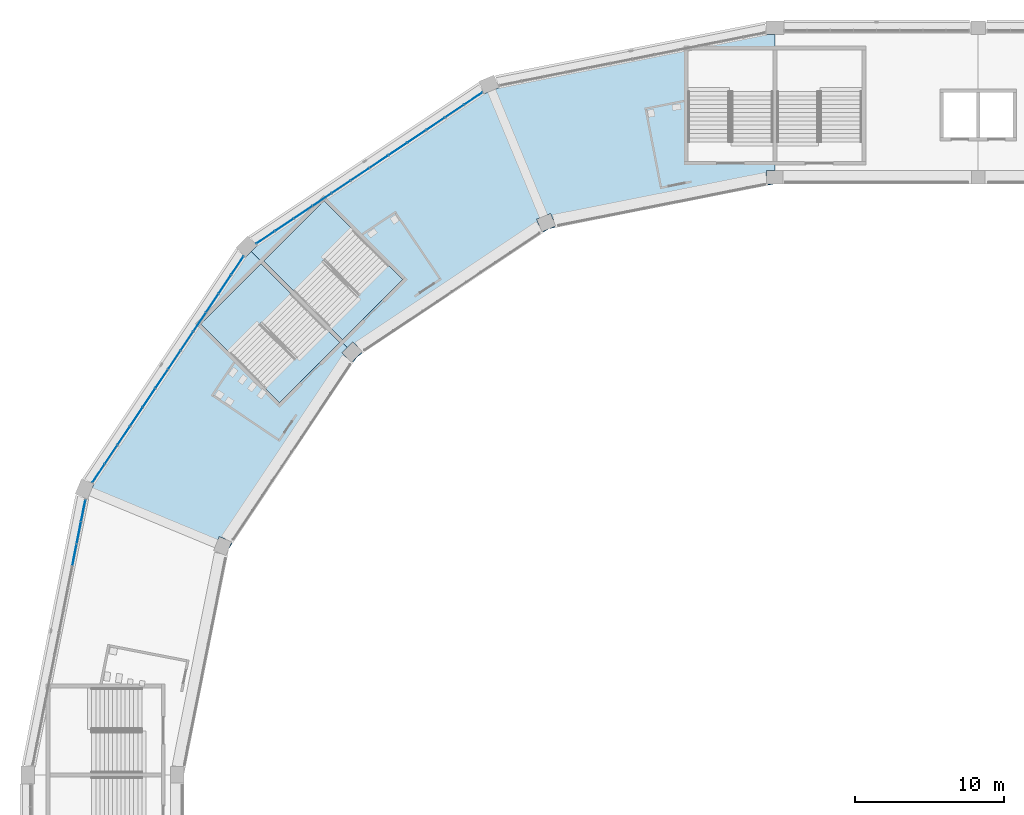
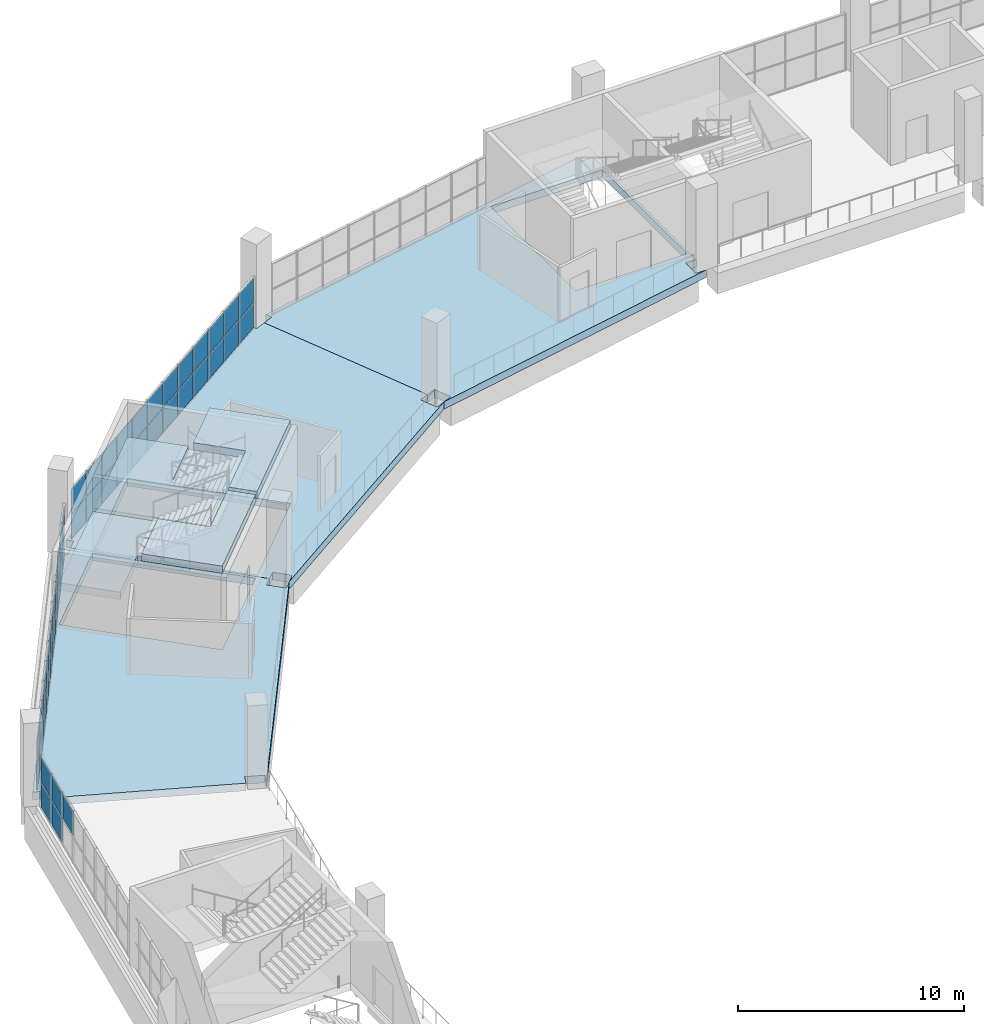
# One storey, part 54 of 177: 53 plates, 7 slabs, 5 elements without a shape of their own.
"""IFC4 building model written with IfcOpenShell, lengths in metres."""

import ifcopenshell
import ifcopenshell.guid

model = None  # the IFC model being written
_history = None  # IfcOwnerHistory: only IFC2X3 demands one
_inside = {}  # id of a spatial element -> (the spatial element, [elements in it])
_under = {}  # id of a project, library or spatial element -> (it, [spatial elements below it])
_declared = {}  # id of a project -> (the project, [libraries it declares])
_typed = {}  # id of a type object -> (the type object, [elements of that type])
_made_of = {}  # id of a material, layer set ... -> (it, [elements and type objects made of it])


def new_model(schema):
    """Start an empty IFC model of exactly this schema.

    Asked for "IFC4X3", IfcOpenShell would pick the latest addendum, in which some entities
    have other attributes; the version numbers below select the first issue.
    IFC2X3 requires an IfcOwnerHistory on every rooted entity: one is made here for all.
    """
    global model, _history
    if schema == "IFC4X3":
        model = ifcopenshell.file(schema_version=(4, 3, 0, 0))
    else:
        model = ifcopenshell.file(schema=schema)
    _inside.clear()
    _under.clear()
    _declared.clear()
    _typed.clear()
    _made_of.clear()
    _history = None
    if model.schema == "IFC2X3":
        org = make("IfcOrganization", Name="unknown")
        user = make(
            "IfcPersonAndOrganization",
            ThePerson=make("IfcPerson", FamilyName="unknown"),
            TheOrganization=org,
        )
        app = make(
            "IfcApplication",
            ApplicationDeveloper=org,
            Version="unknown",
            ApplicationFullName="unknown",
            ApplicationIdentifier="unknown",
        )
        _history = make(
            "IfcOwnerHistory",
            OwningUser=user,
            OwningApplication=app,
            ChangeAction="ADDED",
            CreationDate=0,
        )
    return model


def make(cls, **values):
    """One entity of the class cls with the attributes given. An attribute that is None is left unset."""
    return model.create_entity(
        cls, **{name: value for name, value in values.items() if value is not None}
    )


def rooted(cls, **values):
    """An entity with a GlobalId (a new one), such as an element, a storey or a relation."""
    return make(cls, GlobalId=ifcopenshell.guid.new(), OwnerHistory=_history, **values)


def si_unit(unit_type, name, prefix=None):
    """IfcSIUnit, for example si_unit("LENGTHUNIT", "METRE", prefix="MILLI")."""
    return make("IfcSIUnit", UnitType=unit_type, Prefix=prefix, Name=name)


def assignment(units):
    """IfcUnitAssignment: the units of a project."""
    return None if units is None else make("IfcUnitAssignment", Units=units)


def point(xyz):
    """IfcCartesianPoint."""
    return None if xyz is None else make("IfcCartesianPoint", Coordinates=xyz)


def direction(xyz):
    """IfcDirection."""
    return None if xyz is None else make("IfcDirection", DirectionRatios=xyz)


def frame(location, z_axis=None, x_axis=None):
    """IfcAxis2Placement3D, a coordinate frame: its origin and axes. An axis left out is left unset."""
    return make(
        "IfcAxis2Placement3D",
        Location=point(location),
        Axis=direction(z_axis),
        RefDirection=direction(x_axis),
    )


def frame_2d(location, x_axis=None):
    """IfcAxis2Placement2D, a coordinate frame in the plane: its origin and x axis."""
    return make(
        "IfcAxis2Placement2D", Location=point(location), RefDirection=direction(x_axis)
    )


def origin():
    """The frame at (0, 0, 0) with its axes left unset."""
    return frame((0.0, 0.0, 0.0))


def origin_2d():
    """The frame at (0, 0) in the plane with its x axis left unset."""
    return frame_2d((0.0, 0.0))


def place(relative_to, where):
    """IfcLocalPlacement: puts the frame where relative to a parent placement (None: the world)."""
    return make(
        "IfcLocalPlacement", PlacementRelTo=relative_to, RelativePlacement=where
    )


def context(
    kind, dimensions, precision=None, world=None, true_north=None, identifier=None
):
    """IfcGeometricRepresentationContext, for example the 3D "Model" context."""
    return make(
        "IfcGeometricRepresentationContext",
        ContextIdentifier=identifier,
        ContextType=kind,
        CoordinateSpaceDimension=dimensions,
        Precision=precision,
        WorldCoordinateSystem=world,
        TrueNorth=true_north,
    )


def subcontext(parent, identifier, kind, view, scale=None):
    """IfcGeometricRepresentationSubContext, for example "Body" below "Model"."""
    return make(
        "IfcGeometricRepresentationSubContext",
        ContextIdentifier=identifier,
        ContextType=kind,
        ParentContext=parent,
        TargetScale=scale,
        TargetView=view,
    )


def project(units=None, contexts=None):
    """IfcProject with its units and contexts."""
    return rooted(
        "IfcProject",
        Name="project",
        RepresentationContexts=contexts,
        UnitsInContext=assignment(units),
    )


def spatial(cls, under=None, at=None, **own):
    """A site, building, storey or space (cls), placed at a placement, below another one or the project."""
    s = rooted(cls, ObjectPlacement=at, **own)
    if under is not None:
        _under.setdefault(under.id(), (under, []))[1].append(s)
    return s


def polyline(points):
    """IfcPolyline through the points."""
    return make("IfcPolyline", Points=[point(p) for p in points])


def profile(cls, at=None, kind="AREA", **sizes):
    """A parametric profile (cls). Its sizes go by their IFC names, for example OverallWidth=200.0."""
    return make(cls, ProfileType=kind, Position=at, **sizes)


def rectangle(**sizes):
    """IfcRectangleProfileDef."""
    return profile("IfcRectangleProfileDef", **sizes)


def outline(outer, holes=None, kind="AREA"):
    """IfcArbitraryClosedProfileDef: a profile drawn as a closed curve; with holes, ...WithVoids."""
    if holes is None:
        return make("IfcArbitraryClosedProfileDef", ProfileType=kind, OuterCurve=outer)
    return make(
        "IfcArbitraryProfileDefWithVoids",
        ProfileType=kind,
        OuterCurve=outer,
        InnerCurves=holes,
    )


def extrude(swept, where, along, depth):
    """IfcExtrudedAreaSolid: the profile swept, set in the frame where, extruded along a direction by depth."""
    return make(
        "IfcExtrudedAreaSolid",
        SweptArea=swept,
        Position=where,
        ExtrudedDirection=direction(along),
        Depth=depth,
    )


def shape(context_of_items, identifier, shape_type, items):
    """IfcShapeRepresentation: the items that make up one representation, for example the "Body"."""
    return make(
        "IfcShapeRepresentation",
        ContextOfItems=context_of_items,
        RepresentationIdentifier=identifier,
        RepresentationType=shape_type,
        Items=items,
    )


def material(Name=None, Category=None):
    """IfcMaterial."""
    return make("IfcMaterial", Name=Name, Category=Category)


def layer(
    of_material, thickness, ventilated=None, Name=None, Category=None, Priority=None
):
    """IfcMaterialLayer: one layer of a wall or slab, of a material (None: an air gap)."""
    return make(
        "IfcMaterialLayer",
        Material=of_material,
        LayerThickness=thickness,
        IsVentilated=ventilated,
        Name=Name,
        Category=Category,
        Priority=Priority,
    )


def layer_set(layers, Name=None):
    """IfcMaterialLayerSet."""
    return make("IfcMaterialLayerSet", MaterialLayers=layers, LayerSetName=Name)


def made_of(thing, what):
    """Note that an element or type object is made of a material, layer set ...; save() writes the relation."""
    if what is not None:
        _made_of.setdefault(what.id(), (what, []))[1].append(thing)
    return thing


def type_object(cls, material=None, **own):
    """A type object (cls), such as IfcWallType, which elements share."""
    return made_of(rooted(cls, **own), material)


def element(
    cls,
    number,
    at=None,
    inside=None,
    cuts=None,
    type_object=None,
    material=None,
    context=None,
    identifier="Body",
    shape_type=None,
    held_by="IfcProductDefinitionShape",
    body=None,
    shapes=None,
    **own,
):
    """One element of the class cls, such as IfcWall. Its Tag is "e" and its number.

    at: its placement. inside: the storey or other place that contains it. cuts: it is an
    opening in that element (IfcRelVoidsElement). A single representation is given by context,
    identifier, shape_type and body (its items); several are given by shapes. held_by: the class
    of the entity that holds the representations. save() writes the other relations.
    """
    e = rooted(cls, Tag="e%d" % number, ObjectPlacement=at, **own)
    if body is not None:
        shapes = [shape(context, identifier, shape_type, body)]
    if shapes is not None:
        e.Representation = make(held_by, Representations=shapes)
    if inside is not None:
        _inside.setdefault(inside.id(), (inside, []))[1].append(e)
    if cuts is not None:
        rooted(
            "IfcRelVoidsElement", RelatingBuildingElement=cuts, RelatedOpeningElement=e
        )
    if type_object is not None:
        _typed.setdefault(type_object.id(), (type_object, []))[1].append(e)
    return made_of(e, material)


def aggregate(whole, parts):
    """IfcRelAggregates: a whole, such as a stair, and the parts it consists of."""
    return rooted("IfcRelAggregates", RelatingObject=whole, RelatedObjects=parts)


def save(model, path):
    """Write the relations noted so far, then the file.

    IfcRelAggregates (storeys below a building ...), IfcRelContainedInSpatialStructure (elements
    in a storey), IfcRelDefinesByType, IfcRelAssociatesMaterial and IfcRelDeclares: one each for
    every whole, place, type object, material and project.
    """
    for whole, parts in _under.values():
        aggregate(whole, parts)
    for where, things in _inside.values():
        rooted(
            "IfcRelContainedInSpatialStructure",
            RelatedElements=things,
            RelatingStructure=where,
        )
    for kind, things in _typed.values():
        rooted("IfcRelDefinesByType", RelatedObjects=things, RelatingType=kind)
    for what, things in _made_of.values():
        rooted("IfcRelAssociatesMaterial", RelatedObjects=things, RelatingMaterial=what)
    for by, libraries in _declared.values():
        rooted("IfcRelDeclares", RelatingContext=by, RelatedDefinitions=libraries)
    model.write(path)


model = new_model("IFC4")

# Units and contexts
model_context = context("Model", 3, precision=1e-05, world=origin(), true_north=direction((0.0, 1.0)))
body_context = subcontext(model_context, "Body", "Model", "MODEL_VIEW")
ifc_project = project(units=[si_unit("LENGTHUNIT", "METRE"), si_unit("AREAUNIT", "SQUARE_METRE"), si_unit("VOLUMEUNIT", "CUBIC_METRE"), si_unit("PLANEANGLEUNIT", "RADIAN"), si_unit("MASSUNIT", "GRAM", prefix="KILO")], contexts=[model_context])

# Site, building, storey
site_placement = place(None, origin())
site = spatial("IfcSite", under=ifc_project, at=site_placement, CompositionType="ELEMENT")
building_placement = place(site_placement, origin())
building = spatial("IfcBuilding", under=site, at=building_placement, Name="Ogive Plaza Stadium", CompositionType="ELEMENT")
storey_placement = place(building_placement, frame((0.0, 0.0, 18.0)))
storey = spatial("IfcBuildingStorey", under=building, at=storey_placement, Name="L04", CompositionType="ELEMENT", Elevation=18.0)

# Curtain wall, plates
ifc_material_1 = material(Name="Bronze-anodised aluminium with laminated glass", Category="aluminium")
curtain_wall_type = type_object("IfcCurtainWallType", Name="Lancet curtain wall", PredefinedType="NOTDEFINED", material=ifc_material_1)
curtain_wall_1_placement = place(storey_placement, origin())
curtain_wall_1 = element("IfcCurtainWall", 1, at=curtain_wall_1_placement, inside=storey, type_object=curtain_wall_type, Name="CURTAIN WALL B28 L04", PredefinedType="NOTDEFINED")
ifc_material_2 = material(Name="Laminated glass", Category="glass")
ifc_layer_1 = layer(ifc_material_2, 0.028076171875)
ifc_layer_set_1 = layer_set([ifc_layer_1], Name="Laminated glass panel 28")
plate_type = type_object("IfcPlateType", Name="Laminated glass panel 28", PredefinedType="CURTAIN_PANEL", material=ifc_layer_set_1)
plate_1_placement = place(storey_placement, frame((-80.8671875, 67.224609375, 1.419921875), z_axis=(0.0, 0.0, 1.0), x_axis=(0.195090322016, 0.980785280403, 0.0)))
plate_1 = element("IfcPlate", 2, at=plate_1_placement, type_object=plate_type, Name="CW-B28-L04 panel 10.2", PredefinedType="CURTAIN_PANEL", context=body_context, shape_type="SweptSolid", body=[
    extrude(rectangle(XDim=1.4638671875, YDim=0.028076171875, at=origin_2d()), origin(), (0.0, 0.0, 1.0), 1.320068359375),
])
plate_2_placement = place(storey_placement, frame((-80.57177734375, 68.70947265625, 0.0498046875), z_axis=(0.0, 0.0, 1.0), x_axis=(0.195090322016, 0.980785280403, 0.0)))
plate_2 = element("IfcPlate", 3, at=plate_2_placement, type_object=plate_type, Name="CW-B28-L04 panel 11.1", PredefinedType="CURTAIN_PANEL", context=body_context, shape_type="SweptSolid", body=[
    extrude(rectangle(XDim=1.4638671875, YDim=0.028076171875, at=origin_2d()), origin(), (0.0, 0.0, 1.0), 1.320068359375),
])
plate_3_placement = place(storey_placement, frame((-80.57177734375, 68.70947265625, 1.419921875), z_axis=(0.0, 0.0, 1.0), x_axis=(0.195090322016, 0.980785280403, 0.0)))
plate_3 = element("IfcPlate", 4, at=plate_3_placement, type_object=plate_type, Name="CW-B28-L04 panel 11.2", PredefinedType="CURTAIN_PANEL", context=body_context, shape_type="SweptSolid", body=[
    extrude(rectangle(XDim=1.4638671875, YDim=0.028076171875, at=origin_2d()), origin(), (0.0, 0.0, 1.0), 1.320068359375),
])
plate_4_placement = place(storey_placement, frame((-80.27880859375, 70.181884765625, 0.0498046875), z_axis=(0.0, 0.0, 1.0), x_axis=(0.195090322016, 0.980785280403, 0.0)))
plate_4 = element("IfcPlate", 5, at=plate_4_placement, type_object=plate_type, Name="CW-B28-L04 panel 12.1", PredefinedType="CURTAIN_PANEL", context=body_context, shape_type="SweptSolid", body=[
    extrude(rectangle(XDim=1.43896484375, YDim=0.028076171875, at=origin_2d()), origin(), (0.0, 0.0, 1.0), 1.320068359375),
])
plate_5_placement = place(storey_placement, frame((-80.27880859375, 70.181884765625, 1.419921875), z_axis=(0.0, 0.0, 1.0), x_axis=(0.195090322016, 0.980785280403, 0.0)))
plate_5 = element("IfcPlate", 6, at=plate_5_placement, type_object=plate_type, Name="CW-B28-L04 panel 12.2", PredefinedType="CURTAIN_PANEL", context=body_context, shape_type="SweptSolid", body=[
    extrude(rectangle(XDim=1.43896484375, YDim=0.028076171875, at=origin_2d()), origin(), (0.0, 0.0, 1.0), 1.320068359375),
])
aggregate(curtain_wall_1, [plate_1, plate_2, plate_3, plate_4, plate_5])

curtain_wall_2_placement = place(storey_placement, origin())
curtain_wall_2 = element("IfcCurtainWall", 7, at=curtain_wall_2_placement, inside=storey, type_object=curtain_wall_type, Name="CURTAIN WALL B29 L04", PredefinedType="NOTDEFINED")
plate_6_placement = place(storey_placement, frame((-79.253173828125, 72.68212890625, 0.0498046875), z_axis=(0.0, 0.0, 1.0), x_axis=(0.55557023302, 0.831469612303, 0.0)))
plate_6 = element("IfcPlate", 8, at=plate_6_placement, type_object=plate_type, Name="CW-B29-L04 panel 1.1", PredefinedType="CURTAIN_PANEL", context=body_context, shape_type="SweptSolid", body=[
    extrude(rectangle(XDim=1.447265625, YDim=0.028076171875, at=origin_2d()), origin(), (0.0, 0.0, 1.0), 1.320068359375),
])
plate_7_placement = place(storey_placement, frame((-79.253173828125, 72.68212890625, 1.419921875), z_axis=(0.0, 0.0, 1.0), x_axis=(0.55557023302, 0.831469612303, 0.0)))
plate_7 = element("IfcPlate", 9, at=plate_7_placement, type_object=plate_type, Name="CW-B29-L04 panel 1.2", PredefinedType="CURTAIN_PANEL", context=body_context, shape_type="SweptSolid", body=[
    extrude(rectangle(XDim=1.447265625, YDim=0.028076171875, at=origin_2d()), origin(), (0.0, 0.0, 1.0), 1.320068359375),
])
plate_8_placement = place(storey_placement, frame((-78.414306640625, 73.9375, 0.0498046875), z_axis=(0.0, 0.0, 1.0), x_axis=(0.55557023302, 0.831469612303, 0.0)))
plate_8 = element("IfcPlate", 10, at=plate_8_placement, type_object=plate_type, Name="CW-B29-L04 panel 2.1", PredefinedType="CURTAIN_PANEL", context=body_context, shape_type="SweptSolid", body=[
    extrude(rectangle(XDim=1.472412109375, YDim=0.028076171875, at=origin_2d()), origin(), (0.0, 0.0, 1.0), 1.320068359375),
])
plate_9_placement = place(storey_placement, frame((-78.414306640625, 73.9375, 1.419921875), z_axis=(0.0, 0.0, 1.0), x_axis=(0.55557023302, 0.831469612303, 0.0)))
plate_9 = element("IfcPlate", 11, at=plate_9_placement, type_object=plate_type, Name="CW-B29-L04 panel 2.2", PredefinedType="CURTAIN_PANEL", context=body_context, shape_type="SweptSolid", body=[
    extrude(rectangle(XDim=1.472412109375, YDim=0.028076171875, at=origin_2d()), origin(), (0.0, 0.0, 1.0), 1.320068359375),
])
plate_10_placement = place(storey_placement, frame((-77.568603515625, 75.203369140625, 0.0498046875), z_axis=(0.0, 0.0, 1.0), x_axis=(0.55557023302, 0.831469612303, 0.0)))
plate_10 = element("IfcPlate", 12, at=plate_10_placement, type_object=plate_type, Name="CW-B29-L04 panel 3.1", PredefinedType="CURTAIN_PANEL", context=body_context, shape_type="SweptSolid", body=[
    extrude(rectangle(XDim=1.472412109375, YDim=0.028076171875, at=origin_2d()), origin(), (0.0, 0.0, 1.0), 1.320068359375),
])
plate_11_placement = place(storey_placement, frame((-77.568603515625, 75.203369140625, 1.419921875), z_axis=(0.0, 0.0, 1.0), x_axis=(0.55557023302, 0.831469612303, 0.0)))
plate_11 = element("IfcPlate", 13, at=plate_11_placement, type_object=plate_type, Name="CW-B29-L04 panel 3.2", PredefinedType="CURTAIN_PANEL", context=body_context, shape_type="SweptSolid", body=[
    extrude(rectangle(XDim=1.472412109375, YDim=0.028076171875, at=origin_2d()), origin(), (0.0, 0.0, 1.0), 1.320068359375),
])
plate_12_placement = place(storey_placement, frame((-76.722900390625, 76.46923828125, 0.0498046875), z_axis=(0.0, 0.0, 1.0), x_axis=(0.55557023302, 0.831469612303, 0.0)))
plate_12 = element("IfcPlate", 14, at=plate_12_placement, type_object=plate_type, Name="CW-B29-L04 panel 4.1", PredefinedType="CURTAIN_PANEL", context=body_context, shape_type="SweptSolid", body=[
    extrude(rectangle(XDim=1.472412109375, YDim=0.028076171875, at=origin_2d()), origin(), (0.0, 0.0, 1.0), 1.320068359375),
])
plate_13_placement = place(storey_placement, frame((-76.722900390625, 76.46923828125, 1.419921875), z_axis=(0.0, 0.0, 1.0), x_axis=(0.55557023302, 0.831469612303, 0.0)))
plate_13 = element("IfcPlate", 15, at=plate_13_placement, type_object=plate_type, Name="CW-B29-L04 panel 4.2", PredefinedType="CURTAIN_PANEL", context=body_context, shape_type="SweptSolid", body=[
    extrude(rectangle(XDim=1.472412109375, YDim=0.028076171875, at=origin_2d()), origin(), (0.0, 0.0, 1.0), 1.320068359375),
])
plate_14_placement = place(storey_placement, frame((-75.876953125, 77.73486328125, 0.0498046875), z_axis=(0.0, 0.0, 1.0), x_axis=(0.55557023302, 0.831469612303, 0.0)))
plate_14 = element("IfcPlate", 16, at=plate_14_placement, type_object=plate_type, Name="CW-B29-L04 panel 5.1", PredefinedType="CURTAIN_PANEL", context=body_context, shape_type="SweptSolid", body=[
    extrude(rectangle(XDim=1.472412109375, YDim=0.028076171875, at=origin_2d()), origin(), (0.0, 0.0, 1.0), 1.320068359375),
])
plate_15_placement = place(storey_placement, frame((-75.876953125, 77.73486328125, 1.419921875), z_axis=(0.0, 0.0, 1.0), x_axis=(0.55557023302, 0.831469612303, 0.0)))
plate_15 = element("IfcPlate", 17, at=plate_15_placement, type_object=plate_type, Name="CW-B29-L04 panel 5.2", PredefinedType="CURTAIN_PANEL", context=body_context, shape_type="SweptSolid", body=[
    extrude(rectangle(XDim=1.472412109375, YDim=0.028076171875, at=origin_2d()), origin(), (0.0, 0.0, 1.0), 1.320068359375),
])
plate_16_placement = place(storey_placement, frame((-75.03125, 79.000732421875, 0.0498046875), z_axis=(0.0, 0.0, 1.0), x_axis=(0.55557023302, 0.831469612303, 0.0)))
plate_16 = element("IfcPlate", 18, at=plate_16_placement, type_object=plate_type, Name="CW-B29-L04 panel 6.1", PredefinedType="CURTAIN_PANEL", context=body_context, shape_type="SweptSolid", body=[
    extrude(rectangle(XDim=1.472412109375, YDim=0.028076171875, at=origin_2d()), origin(), (0.0, 0.0, 1.0), 1.320068359375),
])
plate_17_placement = place(storey_placement, frame((-75.03125, 79.000732421875, 1.419921875), z_axis=(0.0, 0.0, 1.0), x_axis=(0.55557023302, 0.831469612303, 0.0)))
plate_17 = element("IfcPlate", 19, at=plate_17_placement, type_object=plate_type, Name="CW-B29-L04 panel 6.2", PredefinedType="CURTAIN_PANEL", context=body_context, shape_type="SweptSolid", body=[
    extrude(rectangle(XDim=1.472412109375, YDim=0.028076171875, at=origin_2d()), origin(), (0.0, 0.0, 1.0), 1.320068359375),
])
plate_18_placement = place(storey_placement, frame((-74.185546875, 80.2666015625, 0.0498046875), z_axis=(0.0, 0.0, 1.0), x_axis=(0.55557023302, 0.831469612303, 0.0)))
plate_18 = element("IfcPlate", 20, at=plate_18_placement, type_object=plate_type, Name="CW-B29-L04 panel 7.1", PredefinedType="CURTAIN_PANEL", context=body_context, shape_type="SweptSolid", body=[
    extrude(rectangle(XDim=1.472412109375, YDim=0.028076171875, at=origin_2d()), origin(), (0.0, 0.0, 1.0), 1.320068359375),
])
plate_19_placement = place(storey_placement, frame((-74.185546875, 80.2666015625, 1.419921875), z_axis=(0.0, 0.0, 1.0), x_axis=(0.55557023302, 0.831469612303, 0.0)))
plate_19 = element("IfcPlate", 21, at=plate_19_placement, type_object=plate_type, Name="CW-B29-L04 panel 7.2", PredefinedType="CURTAIN_PANEL", context=body_context, shape_type="SweptSolid", body=[
    extrude(rectangle(XDim=1.472412109375, YDim=0.028076171875, at=origin_2d()), origin(), (0.0, 0.0, 1.0), 1.320068359375),
])
plate_20_placement = place(storey_placement, frame((-73.339599609375, 81.5322265625, 0.0498046875), z_axis=(0.0, 0.0, 1.0), x_axis=(0.55557023302, 0.831469612303, 0.0)))
plate_20 = element("IfcPlate", 22, at=plate_20_placement, type_object=plate_type, Name="CW-B29-L04 panel 8.1", PredefinedType="CURTAIN_PANEL", context=body_context, shape_type="SweptSolid", body=[
    extrude(rectangle(XDim=1.472412109375, YDim=0.028076171875, at=origin_2d()), origin(), (0.0, 0.0, 1.0), 1.320068359375),
])
plate_21_placement = place(storey_placement, frame((-73.339599609375, 81.5322265625, 1.419921875), z_axis=(0.0, 0.0, 1.0), x_axis=(0.55557023302, 0.831469612303, 0.0)))
plate_21 = element("IfcPlate", 23, at=plate_21_placement, type_object=plate_type, Name="CW-B29-L04 panel 8.2", PredefinedType="CURTAIN_PANEL", context=body_context, shape_type="SweptSolid", body=[
    extrude(rectangle(XDim=1.472412109375, YDim=0.028076171875, at=origin_2d()), origin(), (0.0, 0.0, 1.0), 1.320068359375),
])
plate_22_placement = place(storey_placement, frame((-72.493896484375, 82.798095703125, 0.0498046875), z_axis=(0.0, 0.0, 1.0), x_axis=(0.55557023302, 0.831469612303, 0.0)))
plate_22 = element("IfcPlate", 24, at=plate_22_placement, type_object=plate_type, Name="CW-B29-L04 panel 9.1", PredefinedType="CURTAIN_PANEL", context=body_context, shape_type="SweptSolid", body=[
    extrude(rectangle(XDim=1.472412109375, YDim=0.028076171875, at=origin_2d()), origin(), (0.0, 0.0, 1.0), 1.320068359375),
])
plate_23_placement = place(storey_placement, frame((-72.493896484375, 82.798095703125, 1.419921875), z_axis=(0.0, 0.0, 1.0), x_axis=(0.55557023302, 0.831469612303, 0.0)))
plate_23 = element("IfcPlate", 25, at=plate_23_placement, type_object=plate_type, Name="CW-B29-L04 panel 9.2", PredefinedType="CURTAIN_PANEL", context=body_context, shape_type="SweptSolid", body=[
    extrude(rectangle(XDim=1.472412109375, YDim=0.028076171875, at=origin_2d()), origin(), (0.0, 0.0, 1.0), 1.320068359375),
])
plate_24_placement = place(storey_placement, frame((-71.648193359375, 84.06396484375, 0.0498046875), z_axis=(0.0, 0.0, 1.0), x_axis=(0.55557023302, 0.831469612303, 0.0)))
plate_24 = element("IfcPlate", 26, at=plate_24_placement, type_object=plate_type, Name="CW-B29-L04 panel 10.1", PredefinedType="CURTAIN_PANEL", context=body_context, shape_type="SweptSolid", body=[
    extrude(rectangle(XDim=1.472412109375, YDim=0.028076171875, at=origin_2d()), origin(), (0.0, 0.0, 1.0), 1.320068359375),
])
plate_25_placement = place(storey_placement, frame((-71.648193359375, 84.06396484375, 1.419921875), z_axis=(0.0, 0.0, 1.0), x_axis=(0.55557023302, 0.831469612303, 0.0)))
plate_25 = element("IfcPlate", 27, at=plate_25_placement, type_object=plate_type, Name="CW-B29-L04 panel 10.2", PredefinedType="CURTAIN_PANEL", context=body_context, shape_type="SweptSolid", body=[
    extrude(rectangle(XDim=1.472412109375, YDim=0.028076171875, at=origin_2d()), origin(), (0.0, 0.0, 1.0), 1.320068359375),
])
plate_26_placement = place(storey_placement, frame((-70.802490234375, 85.32958984375, 0.0498046875), z_axis=(0.0, 0.0, 1.0), x_axis=(0.55557023302, 0.831469612303, 0.0)))
plate_26 = element("IfcPlate", 28, at=plate_26_placement, type_object=plate_type, Name="CW-B29-L04 panel 11.1", PredefinedType="CURTAIN_PANEL", context=body_context, shape_type="SweptSolid", body=[
    extrude(rectangle(XDim=1.472412109375, YDim=0.028076171875, at=origin_2d()), origin(), (0.0, 0.0, 1.0), 1.320068359375),
])
plate_27_placement = place(storey_placement, frame((-70.802490234375, 85.32958984375, 1.419921875), z_axis=(0.0, 0.0, 1.0), x_axis=(0.55557023302, 0.831469612303, 0.0)))
plate_27 = element("IfcPlate", 29, at=plate_27_placement, type_object=plate_type, Name="CW-B29-L04 panel 11.2", PredefinedType="CURTAIN_PANEL", context=body_context, shape_type="SweptSolid", body=[
    extrude(rectangle(XDim=1.472412109375, YDim=0.028076171875, at=origin_2d()), origin(), (0.0, 0.0, 1.0), 1.320068359375),
])
plate_28_placement = place(storey_placement, frame((-69.963623046875, 86.5849609375, 0.0498046875), z_axis=(0.0, 0.0, 1.0), x_axis=(0.55557023302, 0.831469612303, 0.0)))
plate_28 = element("IfcPlate", 30, at=plate_28_placement, type_object=plate_type, Name="CW-B29-L04 panel 12.1", PredefinedType="CURTAIN_PANEL", context=body_context, shape_type="SweptSolid", body=[
    extrude(rectangle(XDim=1.447265625, YDim=0.028076171875, at=origin_2d()), origin(), (0.0, 0.0, 1.0), 1.320068359375),
])
plate_29_placement = place(storey_placement, frame((-69.963623046875, 86.5849609375, 1.419921875), z_axis=(0.0, 0.0, 1.0), x_axis=(0.55557023302, 0.831469612303, 0.0)))
plate_29 = element("IfcPlate", 31, at=plate_29_placement, type_object=plate_type, Name="CW-B29-L04 panel 12.2", PredefinedType="CURTAIN_PANEL", context=body_context, shape_type="SweptSolid", body=[
    extrude(rectangle(XDim=1.447265625, YDim=0.028076171875, at=origin_2d()), origin(), (0.0, 0.0, 1.0), 1.320068359375),
])
aggregate(curtain_wall_2, [plate_6, plate_7, plate_8, plate_9, plate_10, plate_11, plate_12, plate_13, plate_14, plate_15, plate_16, plate_17, plate_18, plate_19, plate_20, plate_21, plate_22, plate_23, plate_24, plate_25, plate_26, plate_27, plate_28, plate_29])

curtain_wall_3_placement = place(storey_placement, origin())
curtain_wall_3 = element("IfcCurtainWall", 32, at=curtain_wall_3_placement, inside=storey, type_object=curtain_wall_type, Name="CURTAIN WALL B30 L04", PredefinedType="NOTDEFINED")
plate_30_placement = place(storey_placement, frame((-68.0849609375, 88.463623046875, 0.0498046875), z_axis=(0.0, 0.0, 1.0), x_axis=(0.831469612303, 0.55557023302, 0.0)))
plate_30 = element("IfcPlate", 33, at=plate_30_placement, type_object=plate_type, Name="CW-B30-L04 panel 1.1", PredefinedType="CURTAIN_PANEL", context=body_context, shape_type="SweptSolid", body=[
    extrude(rectangle(XDim=1.447265625, YDim=0.028076171875, at=origin_2d()), origin(), (0.0, 0.0, 1.0), 1.320068359375),
])
plate_31_placement = place(storey_placement, frame((-68.0849609375, 88.463623046875, 1.419921875), z_axis=(0.0, 0.0, 1.0), x_axis=(0.831469612303, 0.55557023302, 0.0)))
plate_31 = element("IfcPlate", 34, at=plate_31_placement, type_object=plate_type, Name="CW-B30-L04 panel 1.2", PredefinedType="CURTAIN_PANEL", context=body_context, shape_type="SweptSolid", body=[
    extrude(rectangle(XDim=1.447265625, YDim=0.028076171875, at=origin_2d()), origin(), (0.0, 0.0, 1.0), 1.320068359375),
])
plate_32_placement = place(storey_placement, frame((-66.82958984375, 89.302490234375, 0.0498046875), z_axis=(0.0, 0.0, 1.0), x_axis=(0.831469612303, 0.55557023302, 0.0)))
plate_32 = element("IfcPlate", 35, at=plate_32_placement, type_object=plate_type, Name="CW-B30-L04 panel 2.1", PredefinedType="CURTAIN_PANEL", context=body_context, shape_type="SweptSolid", body=[
    extrude(rectangle(XDim=1.472412109375, YDim=0.028076171875, at=origin_2d()), origin(), (0.0, 0.0, 1.0), 1.320068359375),
])
plate_33_placement = place(storey_placement, frame((-66.82958984375, 89.302490234375, 1.419921875), z_axis=(0.0, 0.0, 1.0), x_axis=(0.831469612303, 0.55557023302, 0.0)))
plate_33 = element("IfcPlate", 36, at=plate_33_placement, type_object=plate_type, Name="CW-B30-L04 panel 2.2", PredefinedType="CURTAIN_PANEL", context=body_context, shape_type="SweptSolid", body=[
    extrude(rectangle(XDim=1.472412109375, YDim=0.028076171875, at=origin_2d()), origin(), (0.0, 0.0, 1.0), 1.320068359375),
])
plate_34_placement = place(storey_placement, frame((-65.56396484375, 90.148193359375, 0.0498046875), z_axis=(0.0, 0.0, 1.0), x_axis=(0.831469612303, 0.55557023302, 0.0)))
plate_34 = element("IfcPlate", 37, at=plate_34_placement, type_object=plate_type, Name="CW-B30-L04 panel 3.1", PredefinedType="CURTAIN_PANEL", context=body_context, shape_type="SweptSolid", body=[
    extrude(rectangle(XDim=1.472412109375, YDim=0.028076171875, at=origin_2d()), origin(), (0.0, 0.0, 1.0), 1.320068359375),
])
plate_35_placement = place(storey_placement, frame((-65.56396484375, 90.148193359375, 1.419921875), z_axis=(0.0, 0.0, 1.0), x_axis=(0.831469612303, 0.55557023302, 0.0)))
plate_35 = element("IfcPlate", 38, at=plate_35_placement, type_object=plate_type, Name="CW-B30-L04 panel 3.2", PredefinedType="CURTAIN_PANEL", context=body_context, shape_type="SweptSolid", body=[
    extrude(rectangle(XDim=1.472412109375, YDim=0.028076171875, at=origin_2d()), origin(), (0.0, 0.0, 1.0), 1.320068359375),
])
plate_36_placement = place(storey_placement, frame((-64.298095703125, 90.993896484375, 0.0498046875), z_axis=(0.0, 0.0, 1.0), x_axis=(0.831469612303, 0.55557023302, 0.0)))
plate_36 = element("IfcPlate", 39, at=plate_36_placement, type_object=plate_type, Name="CW-B30-L04 panel 4.1", PredefinedType="CURTAIN_PANEL", context=body_context, shape_type="SweptSolid", body=[
    extrude(rectangle(XDim=1.472412109375, YDim=0.028076171875, at=origin_2d()), origin(), (0.0, 0.0, 1.0), 1.320068359375),
])
plate_37_placement = place(storey_placement, frame((-64.298095703125, 90.993896484375, 1.419921875), z_axis=(0.0, 0.0, 1.0), x_axis=(0.831469612303, 0.55557023302, 0.0)))
plate_37 = element("IfcPlate", 40, at=plate_37_placement, type_object=plate_type, Name="CW-B30-L04 panel 4.2", PredefinedType="CURTAIN_PANEL", context=body_context, shape_type="SweptSolid", body=[
    extrude(rectangle(XDim=1.472412109375, YDim=0.028076171875, at=origin_2d()), origin(), (0.0, 0.0, 1.0), 1.320068359375),
])
plate_38_placement = place(storey_placement, frame((-63.0322265625, 91.839599609375, 0.0498046875), z_axis=(0.0, 0.0, 1.0), x_axis=(0.831469612303, 0.55557023302, 0.0)))
plate_38 = element("IfcPlate", 41, at=plate_38_placement, type_object=plate_type, Name="CW-B30-L04 panel 5.1", PredefinedType="CURTAIN_PANEL", context=body_context, shape_type="SweptSolid", body=[
    extrude(rectangle(XDim=1.472412109375, YDim=0.028076171875, at=origin_2d()), origin(), (0.0, 0.0, 1.0), 1.320068359375),
])
plate_39_placement = place(storey_placement, frame((-63.0322265625, 91.839599609375, 1.419921875), z_axis=(0.0, 0.0, 1.0), x_axis=(0.831469612303, 0.55557023302, 0.0)))
plate_39 = element("IfcPlate", 42, at=plate_39_placement, type_object=plate_type, Name="CW-B30-L04 panel 5.2", PredefinedType="CURTAIN_PANEL", context=body_context, shape_type="SweptSolid", body=[
    extrude(rectangle(XDim=1.472412109375, YDim=0.028076171875, at=origin_2d()), origin(), (0.0, 0.0, 1.0), 1.320068359375),
])
plate_40_placement = place(storey_placement, frame((-61.7666015625, 92.685546875, 0.0498046875), z_axis=(0.0, 0.0, 1.0), x_axis=(0.831469612303, 0.55557023302, 0.0)))
plate_40 = element("IfcPlate", 43, at=plate_40_placement, type_object=plate_type, Name="CW-B30-L04 panel 6.1", PredefinedType="CURTAIN_PANEL", context=body_context, shape_type="SweptSolid", body=[
    extrude(rectangle(XDim=1.472412109375, YDim=0.028076171875, at=origin_2d()), origin(), (0.0, 0.0, 1.0), 1.320068359375),
])
plate_41_placement = place(storey_placement, frame((-61.7666015625, 92.685546875, 1.419921875), z_axis=(0.0, 0.0, 1.0), x_axis=(0.831469612303, 0.55557023302, 0.0)))
plate_41 = element("IfcPlate", 44, at=plate_41_placement, type_object=plate_type, Name="CW-B30-L04 panel 6.2", PredefinedType="CURTAIN_PANEL", context=body_context, shape_type="SweptSolid", body=[
    extrude(rectangle(XDim=1.472412109375, YDim=0.028076171875, at=origin_2d()), origin(), (0.0, 0.0, 1.0), 1.320068359375),
])
plate_42_placement = place(storey_placement, frame((-60.500732421875, 93.53125, 0.0498046875), z_axis=(0.0, 0.0, 1.0), x_axis=(0.831469612303, 0.55557023302, 0.0)))
plate_42 = element("IfcPlate", 45, at=plate_42_placement, type_object=plate_type, Name="CW-B30-L04 panel 7.1", PredefinedType="CURTAIN_PANEL", context=body_context, shape_type="SweptSolid", body=[
    extrude(rectangle(XDim=1.472412109375, YDim=0.028076171875, at=origin_2d()), origin(), (0.0, 0.0, 1.0), 1.320068359375),
])
plate_43_placement = place(storey_placement, frame((-60.500732421875, 93.53125, 1.419921875), z_axis=(0.0, 0.0, 1.0), x_axis=(0.831469612303, 0.55557023302, 0.0)))
plate_43 = element("IfcPlate", 46, at=plate_43_placement, type_object=plate_type, Name="CW-B30-L04 panel 7.2", PredefinedType="CURTAIN_PANEL", context=body_context, shape_type="SweptSolid", body=[
    extrude(rectangle(XDim=1.472412109375, YDim=0.028076171875, at=origin_2d()), origin(), (0.0, 0.0, 1.0), 1.320068359375),
])
plate_44_placement = place(storey_placement, frame((-59.23486328125, 94.376953125, 0.0498046875), z_axis=(0.0, 0.0, 1.0), x_axis=(0.831469612303, 0.55557023302, 0.0)))
plate_44 = element("IfcPlate", 47, at=plate_44_placement, type_object=plate_type, Name="CW-B30-L04 panel 8.1", PredefinedType="CURTAIN_PANEL", context=body_context, shape_type="SweptSolid", body=[
    extrude(rectangle(XDim=1.472412109375, YDim=0.028076171875, at=origin_2d()), origin(), (0.0, 0.0, 1.0), 1.320068359375),
])
plate_45_placement = place(storey_placement, frame((-59.23486328125, 94.376953125, 1.419921875), z_axis=(0.0, 0.0, 1.0), x_axis=(0.831469612303, 0.55557023302, 0.0)))
plate_45 = element("IfcPlate", 48, at=plate_45_placement, type_object=plate_type, Name="CW-B30-L04 panel 8.2", PredefinedType="CURTAIN_PANEL", context=body_context, shape_type="SweptSolid", body=[
    extrude(rectangle(XDim=1.472412109375, YDim=0.028076171875, at=origin_2d()), origin(), (0.0, 0.0, 1.0), 1.320068359375),
])
plate_46_placement = place(storey_placement, frame((-57.96923828125, 95.222900390625, 0.0498046875), z_axis=(0.0, 0.0, 1.0), x_axis=(0.831469612303, 0.55557023302, 0.0)))
plate_46 = element("IfcPlate", 49, at=plate_46_placement, type_object=plate_type, Name="CW-B30-L04 panel 9.1", PredefinedType="CURTAIN_PANEL", context=body_context, shape_type="SweptSolid", body=[
    extrude(rectangle(XDim=1.472412109375, YDim=0.028076171875, at=origin_2d()), origin(), (0.0, 0.0, 1.0), 1.320068359375),
])
plate_47_placement = place(storey_placement, frame((-57.96923828125, 95.222900390625, 1.419921875), z_axis=(0.0, 0.0, 1.0), x_axis=(0.831469612303, 0.55557023302, 0.0)))
plate_47 = element("IfcPlate", 50, at=plate_47_placement, type_object=plate_type, Name="CW-B30-L04 panel 9.2", PredefinedType="CURTAIN_PANEL", context=body_context, shape_type="SweptSolid", body=[
    extrude(rectangle(XDim=1.472412109375, YDim=0.028076171875, at=origin_2d()), origin(), (0.0, 0.0, 1.0), 1.320068359375),
])
plate_48_placement = place(storey_placement, frame((-56.703369140625, 96.068603515625, 0.0498046875), z_axis=(0.0, 0.0, 1.0), x_axis=(0.831469612303, 0.55557023302, 0.0)))
plate_48 = element("IfcPlate", 51, at=plate_48_placement, type_object=plate_type, Name="CW-B30-L04 panel 10.1", PredefinedType="CURTAIN_PANEL", context=body_context, shape_type="SweptSolid", body=[
    extrude(rectangle(XDim=1.472412109375, YDim=0.028076171875, at=origin_2d()), origin(), (0.0, 0.0, 1.0), 1.320068359375),
])
plate_49_placement = place(storey_placement, frame((-56.703369140625, 96.068603515625, 1.419921875), z_axis=(0.0, 0.0, 1.0), x_axis=(0.831469612303, 0.55557023302, 0.0)))
plate_49 = element("IfcPlate", 52, at=plate_49_placement, type_object=plate_type, Name="CW-B30-L04 panel 10.2", PredefinedType="CURTAIN_PANEL", context=body_context, shape_type="SweptSolid", body=[
    extrude(rectangle(XDim=1.472412109375, YDim=0.028076171875, at=origin_2d()), origin(), (0.0, 0.0, 1.0), 1.320068359375),
])
plate_50_placement = place(storey_placement, frame((-55.4375, 96.914306640625, 0.0498046875), z_axis=(0.0, 0.0, 1.0), x_axis=(0.831469612303, 0.55557023302, 0.0)))
plate_50 = element("IfcPlate", 53, at=plate_50_placement, type_object=plate_type, Name="CW-B30-L04 panel 11.1", PredefinedType="CURTAIN_PANEL", context=body_context, shape_type="SweptSolid", body=[
    extrude(rectangle(XDim=1.472412109375, YDim=0.028076171875, at=origin_2d()), origin(), (0.0, 0.0, 1.0), 1.320068359375),
])
plate_51_placement = place(storey_placement, frame((-55.4375, 96.914306640625, 1.419921875), z_axis=(0.0, 0.0, 1.0), x_axis=(0.831469612303, 0.55557023302, 0.0)))
plate_51 = element("IfcPlate", 54, at=plate_51_placement, type_object=plate_type, Name="CW-B30-L04 panel 11.2", PredefinedType="CURTAIN_PANEL", context=body_context, shape_type="SweptSolid", body=[
    extrude(rectangle(XDim=1.472412109375, YDim=0.028076171875, at=origin_2d()), origin(), (0.0, 0.0, 1.0), 1.320068359375),
])
plate_52_placement = place(storey_placement, frame((-54.18212890625, 97.753173828125, 0.0498046875), z_axis=(0.0, 0.0, 1.0), x_axis=(0.831469612303, 0.55557023302, 0.0)))
plate_52 = element("IfcPlate", 55, at=plate_52_placement, type_object=plate_type, Name="CW-B30-L04 panel 12.1", PredefinedType="CURTAIN_PANEL", context=body_context, shape_type="SweptSolid", body=[
    extrude(rectangle(XDim=1.447265625, YDim=0.028076171875, at=origin_2d()), origin(), (0.0, 0.0, 1.0), 1.320068359375),
])
plate_53_placement = place(storey_placement, frame((-54.18212890625, 97.753173828125, 1.419921875), z_axis=(0.0, 0.0, 1.0), x_axis=(0.831469612303, 0.55557023302, 0.0)))
plate_53 = element("IfcPlate", 56, at=plate_53_placement, type_object=plate_type, Name="CW-B30-L04 panel 12.2", PredefinedType="CURTAIN_PANEL", context=body_context, shape_type="SweptSolid", body=[
    extrude(rectangle(XDim=1.447265625, YDim=0.028076171875, at=origin_2d()), origin(), (0.0, 0.0, 1.0), 1.320068359375),
])
aggregate(curtain_wall_3, [plate_30, plate_31, plate_32, plate_33, plate_34, plate_35, plate_36, plate_37, plate_38, plate_39, plate_40, plate_41, plate_42, plate_43, plate_44, plate_45, plate_46, plate_47, plate_48, plate_49, plate_50, plate_51, plate_52, plate_53])

# Slabs
ifc_material_3 = material(Name="Concrete C40/50", Category="concrete")
ifc_layer_2 = layer(ifc_material_3, 0.409912109375)
ifc_layer_set_2 = layer_set([ifc_layer_2], Name="Concrete C40/50")
slab_type_1 = type_object("IfcSlabType", Name="RC floor slab 410", PredefinedType="FLOOR", material=ifc_layer_set_2)
slab_1_placement = place(storey_placement, frame((0.0, 0.0, -0.409912109375)))
element("IfcSlab", 57, at=slab_1_placement, inside=storey, type_object=slab_type_1, Name="Floor slab L04 B29", PredefinedType="FLOOR", context=body_context, shape_type="SweptSolid", body=[
    extrude(outline(polyline([(-61.966064453125, 80.466064453125), (-62.319580078125, 80.112548828125), (-62.9560546875, 80.7490234375), (-62.6025390625, 81.1025390625), (-69.037109375, 87.537109375), (-69.426025390625, 87.148193359375), (-69.6669921875, 87.38916015625), (-79.88232421875, 72.100341796875), (-79.56787109375, 71.97021484375), (-79.7783203125, 71.4619140625), (-71.370849609375, 67.9794921875), (-71.1796875, 68.44140625), (-70.34814453125, 68.09716796875), (-70.53955078125, 67.635009765625), (-61.966064453125, 80.466064453125), (-61.966064453125, 80.466064453125)]), holes=[polyline([(-67.145751953125, 77.40771484375), (-63.115234375, 81.438232421875), (-68.39013671875, 86.71337890625), (-72.420654296875, 82.682861328125), (-67.145751953125, 77.40771484375)])]), origin(), (0.0, 0.0, 1.0), 0.409912109375),
])
slab_2_placement = place(storey_placement, frame((0.0, 0.0, -0.409912109375)))
element("IfcSlab", 58, at=slab_2_placement, inside=storey, type_object=slab_type_1, Name="Floor slab L04 B30", PredefinedType="FLOOR", context=body_context, shape_type="SweptSolid", body=[
    extrude(outline(polyline([(-52.9619140625, 98.2783203125), (-53.47021484375, 98.06787109375), (-53.600341796875, 98.38232421875), (-68.88916015625, 88.1669921875), (-68.648193359375, 87.926025390625), (-69.037109375, 87.537109375), (-62.6025390625, 81.1025390625), (-62.2490234375, 81.4560546875), (-61.612548828125, 80.819580078125), (-61.966064453125, 80.466064453125), (-49.135009765625, 89.03955078125), (-49.59716796875, 88.84814453125), (-49.94140625, 89.6796875), (-49.4794921875, 89.870849609375), (-52.9619140625, 98.2783203125)]), holes=[polyline([(-62.938232421875, 81.615234375), (-58.90771484375, 85.645751953125), (-64.182861328125, 90.920654296875), (-68.21337890625, 86.89013671875), (-62.938232421875, 81.615234375)])]), origin(), (0.0, 0.0, 1.0), 0.409912109375),
])
slab_3_placement = place(storey_placement, frame((0.0, 0.0, -0.409912109375)))
element("IfcSlab", 59, at=slab_3_placement, inside=storey, type_object=slab_type_1, Name="Floor slab L04 B31", PredefinedType="FLOOR", context=body_context, shape_type="SweptSolid", body=[
    extrude(outline(polyline([(-34.0, 102.050048828125), (-34.60009765625, 102.050048828125), (-34.60009765625, 102.380615234375), (-52.584228515625, 98.803466796875), (-52.453857421875, 98.48876953125), (-52.9619140625, 98.2783203125), (-49.4794921875, 89.870849609375), (-49.017578125, 90.062255859375), (-48.673095703125, 89.230712890625), (-49.135009765625, 89.03955078125), (-34.0, 92.050048828125), (-34.550048828125, 92.050048828125), (-34.550048828125, 92.949951171875), (-34.0, 92.949951171875), (-34.0, 102.050048828125)]), holes=[polyline([(-34.125, 93.550048828125), (-34.125, 101.010009765625), (-39.824951171875, 101.010009765625), (-39.824951171875, 93.550048828125), (-34.125, 93.550048828125)])]), origin(), (0.0, 0.0, 1.0), 0.409912109375),
])

# Stair, slabs
ifc_material_4 = material(Name="Concrete C40/50", Category="concrete")
stair_type = type_object("IfcStairType", Name="Exit stair", PredefinedType="STRAIGHT_RUN_STAIR", material=ifc_material_4)
stair_1_placement = place(storey_placement, origin())
stair_1 = element("IfcStair", 60, at=stair_1_placement, inside=storey, type_object=stair_type, Name="Exit stair ST30A L04 to L05", PredefinedType="STRAIGHT_RUN_STAIR")
ifc_material_5 = material(Name="Concrete C40/50", Category="concrete")
ifc_layer_3 = layer(ifc_material_5, 0.39990234375)
ifc_layer_set_3 = layer_set([ifc_layer_3], Name="Concrete C40/50")
slab_type_2 = type_object("IfcSlabType", Name="Stair landing", PredefinedType="LANDING", material=ifc_layer_set_3)
slab_4_placement = place(storey_placement, frame((0.0, 0.0, 1.85009765625)))
slab_4 = element("IfcSlab", 61, at=slab_4_placement, type_object=slab_type_2, Name="ST30A landing 1", PredefinedType="LANDING", context=body_context, shape_type="SweptSolid", body=[
    extrude(outline(polyline([(-68.21337890625, 86.89013671875), (-64.182861328125, 90.920654296875), (-62.202880859375, 88.940673828125), (-64.253662109375, 86.89013671875), (-62.556396484375, 85.193115234375), (-64.536376953125, 83.213134765625), (-66.2333984375, 84.91015625), (-68.21337890625, 86.89013671875)])), origin(), (0.0, 0.0, 1.0), 0.39990234375),
])
slab_5_placement = place(storey_placement, frame((0.0, 0.0, 4.10009765625)))
slab_5 = element("IfcSlab", 62, at=slab_5_placement, type_object=slab_type_2, Name="ST30A landing 2", PredefinedType="LANDING", context=body_context, shape_type="SweptSolid", body=[
    extrude(outline(polyline([(-63.504150390625, 86.281982421875), (-61.524169921875, 88.261962890625), (-59.8271484375, 86.56494140625), (-58.90771484375, 85.645751953125), (-62.938232421875, 81.615234375), (-63.857666015625, 82.534423828125), (-61.806884765625, 84.5849609375), (-63.504150390625, 86.281982421875)])), origin(), (0.0, 0.0, 1.0), 0.39990234375),
])
aggregate(stair_1, [slab_4, slab_5])

stair_2_placement = place(storey_placement, origin())
stair_2 = element("IfcStair", 63, at=stair_2_placement, inside=storey, type_object=stair_type, Name="Exit stair ST30B L04 to L05", PredefinedType="STRAIGHT_RUN_STAIR")
slab_6_placement = place(storey_placement, frame((0.0, 0.0, 1.85009765625)))
slab_6 = element("IfcSlab", 64, at=slab_6_placement, type_object=slab_type_2, Name="ST30B landing 1", PredefinedType="LANDING", context=body_context, shape_type="SweptSolid", body=[
    extrude(outline(polyline([(-64.713134765625, 83.036376953125), (-66.693115234375, 81.056396484375), (-68.39013671875, 82.753662109375), (-70.440673828125, 80.702880859375), (-72.420654296875, 82.682861328125), (-68.39013671875, 86.71337890625), (-66.41015625, 84.7333984375), (-64.713134765625, 83.036376953125)])), origin(), (0.0, 0.0, 1.0), 0.39990234375),
])
slab_7_placement = place(storey_placement, frame((0.0, 0.0, 4.10009765625)))
slab_7 = element("IfcSlab", 65, at=slab_7_placement, type_object=slab_type_2, Name="ST30B landing 2", PredefinedType="LANDING", context=body_context, shape_type="SweptSolid", body=[
    extrude(outline(polyline([(-64.034423828125, 82.357666015625), (-63.115234375, 81.438232421875), (-67.145751953125, 77.40771484375), (-68.06494140625, 78.3271484375), (-69.761962890625, 80.024169921875), (-67.781982421875, 82.004150390625), (-66.0849609375, 80.306884765625), (-64.034423828125, 82.357666015625)])), origin(), (0.0, 0.0, 1.0), 0.39990234375),
])
aggregate(stair_2, [slab_6, slab_7])

save(model, "model.ifc")
